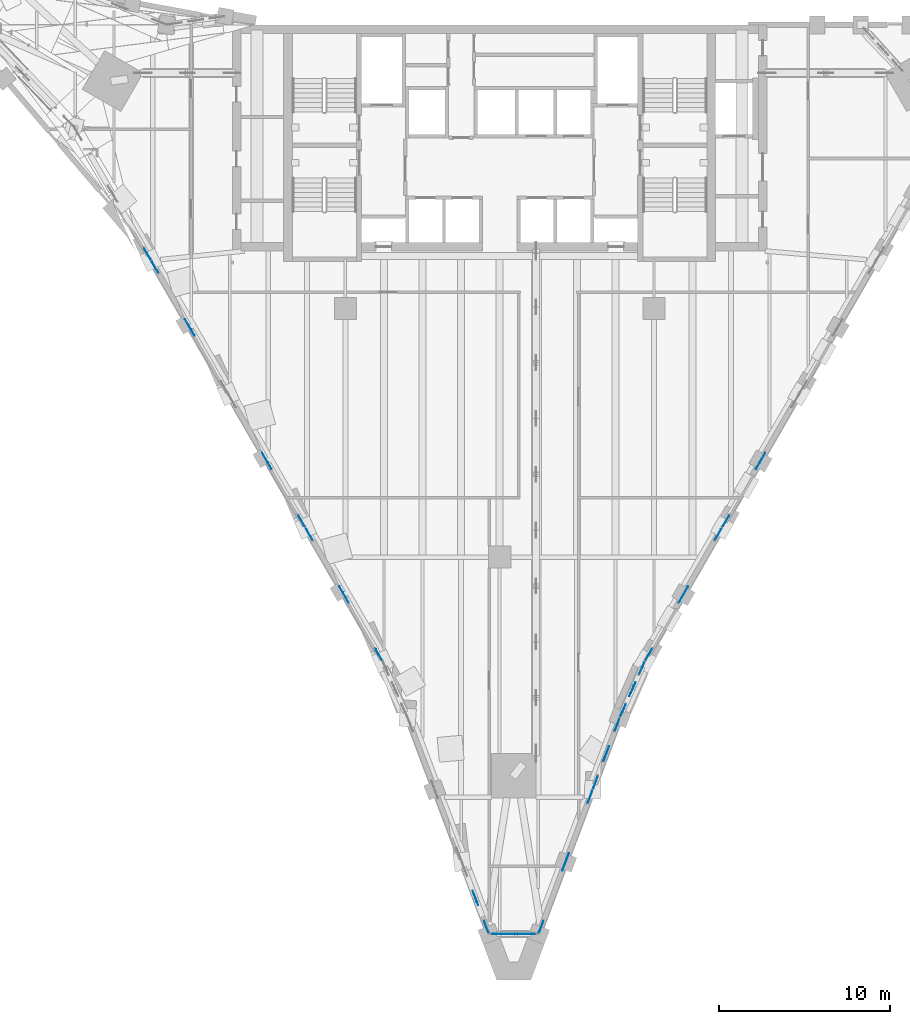
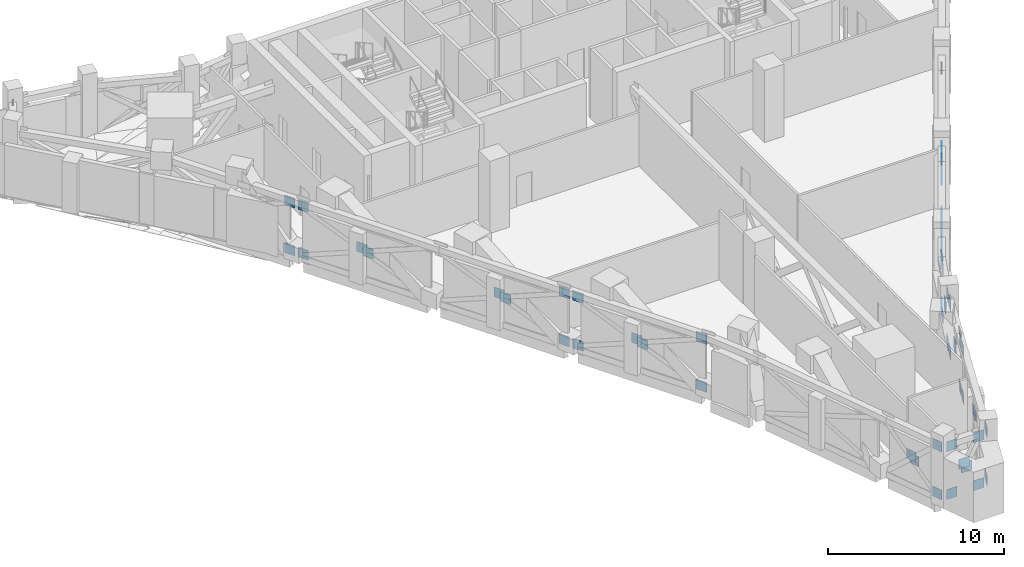
# One storey, part 17 of 22: 54 discrete accessories.
"""IFC4 building model written with IfcOpenShell, lengths in metres."""

from ifc_helpers import new_model, si_unit, direction, frame, origin, origin_2d, place, context, subcontext, project, spatial, rectangle, extrude, material, type_object, element, save


model = new_model("IFC4")

# Units and contexts
model_context = context("Model", 3, precision=1e-05, world=origin(), true_north=direction((0.0, 1.0)))
body_context = subcontext(model_context, "Body", "Model", "MODEL_VIEW")
ifc_project = project(units=[si_unit("LENGTHUNIT", "METRE"), si_unit("AREAUNIT", "SQUARE_METRE"), si_unit("VOLUMEUNIT", "CUBIC_METRE"), si_unit("PLANEANGLEUNIT", "RADIAN"), si_unit("MASSUNIT", "GRAM", prefix="KILO")], contexts=[model_context])

# Site, building, storey
site_placement = place(None, origin())
site = spatial("IfcSite", under=ifc_project, at=site_placement, CompositionType="ELEMENT")
building_placement = place(site_placement, origin())
building = spatial("IfcBuilding", under=site, at=building_placement, Name="Calabash Gate Tower", CompositionType="ELEMENT")
storey_placement = place(building_placement, frame((0.0, 0.0, 191.39990234375)))
storey = spatial("IfcBuildingStorey", under=building, at=storey_placement, Name="L45", CompositionType="ELEMENT", Elevation=191.39990234375)

# Discrete accessories
ifc_material = material(Name="Steel ASTM A572 Gr50", Category="steel")
discrete_accessory_type = type_object("IfcDiscreteAccessoryType", Name="Connection plate 25", PredefinedType="BRACKET", material=ifc_material)
for number, where, z_axis, x_axis, name in (
    (1, (-11.10302734375, -10.677734375, 0.0625), (0.0, 0.0, 1.0), (0.499999984885, -0.866025412511, 0.0), "Connection plate Belt diagonal L45 3 start"),
    (2, (-7.052978515625, -17.692626953125, 3.3798828125), (0.0, 0.0, 1.0), (0.499999984885, -0.866025412511, 0.0), "Connection plate Belt diagonal L45 3 end"),
    (3, (-11.10302734375, -10.677734375, 3.3798828125), (0.0, 0.0, 1.0), (0.499999954655, -0.866025429964, 0.0), "Connection plate Belt diagonal (split) L45 4 half 1 of 2 start"),
    (4, (-9.178466796875, -14.010986328125, 1.8037109375), (0.0, 0.0, 1.0), (0.499999954655, -0.866025429964, 0.0), "Connection plate Belt diagonal (split) L45 4 half 1 of 2 end"),
    (5, (-8.9775390625, -14.359375, 1.638671875), (0.0, 0.0, 1.0), (0.499999954655, -0.866025429964, 0.0), "Connection plate Belt diagonal (split) L45 5 half 2 of 2 start"),
    (6, (-7.052978515625, -17.692626953125, 0.0625), (0.0, 0.0, 1.0), (0.499999954655, -0.866025429964, 0.0), "Connection plate Belt diagonal (split) L45 5 half 2 of 2 end"),
    (7, (-0.7783203125, -33.57470703125, 3.3798828125), (0.0, 0.0, 1.0), (0.351822435641, -0.936066757117, 0.0), "Connection plate Belt diagonal L45 18 end"),
    (8, (-1.451171875, -31.78466796875, 1.82470703125), (0.0, 0.0, 1.0), (0.351822550003, -0.936066714134, 0.0), "Connection plate Belt diagonal (split) L45 19 half 1 of 2 end"),
    (9, (-1.3720703125, -31.9951171875, 1.61767578125), (0.0, 0.0, 1.0), (0.351822550003, -0.936066714134, 0.0), "Connection plate Belt diagonal (split) L45 20 half 2 of 2 start"),
    (10, (-0.7783203125, -33.57470703125, 0.0625), (0.0, 0.0, 1.0), (0.351822550003, -0.936066714134, 0.0), "Connection plate Belt diagonal (split) L45 20 half 2 of 2 end"),
    (11, (-0.05908203125, -33.99609375, 0.0625), (0.0, 0.0, 1.0), (1.0, 5.75959e-07, 0.0), "Connection plate Belt diagonal L45 23 start"),
    (12, (1.702880859375, -33.99609375, 3.3798828125), (0.0, 0.0, 1.0), (1.0, 5.75959e-07, 0.0), "Connection plate Belt diagonal L45 23 end"),
    (13, (-0.05908203125, -33.99609375, 3.3798828125), (0.0, 0.0, 1.0), (1.0, 0.0, 0.0), "Connection plate Belt diagonal (split) L45 24 half 1 of 2 start"),
    (14, (0.735595703125, -33.99609375, 1.8837890625), (0.0, 0.0, 1.0), (1.0, 0.0, 0.0), "Connection plate Belt diagonal (split) L45 24 half 1 of 2 end"),
    (15, (0.908203125, -33.99609375, 1.55859375), (0.0, 0.0, 1.0), (1.0, 0.0, 0.0), "Connection plate Belt diagonal (split) L45 25 half 2 of 2 start"),
    (16, (1.702880859375, -33.99609375, 0.0625), (0.0, 0.0, 1.0), (1.0, 0.0, 0.0), "Connection plate Belt diagonal (split) L45 25 half 2 of 2 end"),
    (17, (2.422119140625, -33.57470703125, 0.0625), (0.0, 0.0, 1.0), (0.351822500991, 0.936066732555, 0.0), "Connection plate Belt diagonal L45 28 start"),
    (18, (5.271728515625, -25.99267578125, 3.3798828125), (0.0, 0.0, 1.0), (0.351822500991, 0.936066732555, 0.0), "Connection plate Belt diagonal L45 28 end"),
    (19, (2.422119140625, -33.57470703125, 3.3798828125), (0.0, 0.0, 1.0), (0.351822517328, 0.936066726415, 0.0), "Connection plate Belt diagonal (split) L45 29 half 1 of 2 start"),
    (20, (3.776123046875, -29.971923828125, 1.8037109375), (0.0, 0.0, 1.0), (0.351822517328, 0.936066726415, 0.0), "Connection plate Belt diagonal (split) L45 29 half 1 of 2 end"),
    (21, (3.917724609375, -29.595458984375, 1.638671875), (0.0, 0.0, 1.0), (0.351822517328, 0.936066726415, 0.0), "Connection plate Belt diagonal (split) L45 30 half 2 of 2 start"),
    (22, (5.271728515625, -25.99267578125, 0.0625), (0.0, 0.0, 1.0), (0.351822517328, 0.936066726415, 0.0), "Connection plate Belt diagonal (split) L45 30 half 2 of 2 end"),
    (23, (5.58837890625, -25.150146484375, 0.0625), (0.0, 0.0, 1.0), (0.351822435641, 0.936066757117, 0.0), "Connection plate Belt diagonal L45 33 start"),
    (24, (6.85498046875, -21.7802734375, 3.3798828125), (0.0, 0.0, 1.0), (0.351822435641, 0.936066757117, 0.0), "Connection plate Belt diagonal L45 33 end"),
    (25, (5.58837890625, -25.150146484375, 3.3798828125), (0.0, 0.0, 1.0), (0.351822550003, 0.936066714134, 0.0), "Connection plate Belt diagonal (split) L45 34 half 1 of 2 start"),
    (26, (6.18212890625, -23.570556640625, 1.82470703125), (0.0, 0.0, 1.0), (0.351822550003, 0.936066714134, 0.0), "Connection plate Belt diagonal (split) L45 34 half 1 of 2 end"),
    (27, (6.26123046875, -23.35986328125, 1.61767578125), (0.0, 0.0, 1.0), (0.351822550003, 0.936066714134, 0.0), "Connection plate Belt diagonal (split) L45 35 half 2 of 2 start"),
    (28, (6.85498046875, -21.7802734375, 0.0625), (0.0, 0.0, 1.0), (0.351822550003, 0.936066714134, 0.0), "Connection plate Belt diagonal (split) L45 35 half 2 of 2 end"),
    (29, (7.196533203125, -20.947265625, 0.0625), (0.0, 0.0, 1.0), (0.406611890485, 0.913600990869, 0.0), "Connection plate Belt diagonal L45 38 start"),
    (30, (8.28759765625, -18.49560546875, 3.3798828125), (0.0, 0.0, 1.0), (0.406611890485, 0.913600990869, 0.0), "Connection plate Belt diagonal L45 38 end"),
    (31, (7.196533203125, -20.947265625, 3.3798828125), (0.0, 0.0, 1.0), (0.406611683196, 0.913601083126, 0.0), "Connection plate Belt diagonal (split) L45 39 half 1 of 2 start"),
    (32, (7.702392578125, -19.81103515625, 1.84228515625), (0.0, 0.0, 1.0), (0.406611683196, 0.913601083126, 0.0), "Connection plate Belt diagonal (split) L45 39 half 1 of 2 end"),
    (33, (7.781982421875, -19.6318359375, 1.60009765625), (0.0, 0.0, 1.0), (0.406612065884, 0.913600912805, 0.0), "Connection plate Belt diagonal (split) L45 40 half 2 of 2 start"),
    (34, (8.28759765625, -18.49560546875, 0.0625), (0.0, 0.0, 1.0), (0.406612065884, 0.913600912805, 0.0), "Connection plate Belt diagonal (split) L45 40 half 2 of 2 end"),
    (35, (8.69677734375, -17.692626953125, 0.0625), (0.0, 0.0, 1.0), (0.49999993954, 0.866025438691, 0.0), "Connection plate Belt diagonal L45 43 start"),
    (36, (12.74658203125, -10.677734375, 3.3798828125), (0.0, 0.0, 1.0), (0.49999993954, 0.866025438691, 0.0), "Connection plate Belt diagonal L45 43 end"),
    (37, (8.69677734375, -17.692626953125, 3.3798828125), (0.0, 0.0, 1.0), (0.49999984885, 0.866025491051, 0.0), "Connection plate Belt diagonal (split) L45 44 half 1 of 2 start"),
    (38, (10.62109375, -14.359375, 1.8037109375), (0.0, 0.0, 1.0), (0.49999984885, 0.866025491051, 0.0), "Connection plate Belt diagonal (split) L45 44 half 1 of 2 end"),
    (39, (10.822265625, -14.010986328125, 1.638671875), (0.0, 0.0, 1.0), (0.49999984885, 0.866025491051, 0.0), "Connection plate Belt diagonal (split) L45 45 half 2 of 2 start"),
    (40, (12.74658203125, -10.677734375, 0.0625), (0.0, 0.0, 1.0), (0.49999984885, 0.866025491051, 0.0), "Connection plate Belt diagonal (split) L45 45 half 2 of 2 end"),
    (41, (13.19677734375, -9.898193359375, 0.0625), (0.0, 0.0, 1.0), (0.499999984885, 0.866025412511, 0.0), "Connection plate Belt diagonal L45 48 start"),
    (42, (13.19677734375, -9.898193359375, 3.3798828125), (0.0, 0.0, 1.0), (0.499999954655, 0.866025429964, 0.0), "Connection plate Belt diagonal (split) L45 49 half 1 of 2 start"),
    (43, (15.12109375, -6.56494140625, 1.8037109375), (0.0, 0.0, 1.0), (0.499999954655, 0.866025429964, 0.0), "Connection plate Belt diagonal (split) L45 49 half 1 of 2 end"),
    (44, (15.322265625, -6.216796875, 1.638671875), (0.0, 0.0, 1.0), (0.499999954655, 0.866025429964, 0.0), "Connection plate Belt diagonal (split) L45 50 half 2 of 2 start"),
    (45, (-20.552978515625, 5.690185546875, 3.3798828125), (0.0, 0.0, 1.0), (0.49999996977, -0.866025421238, 0.0), "Connection plate Belt diagonal L45 93 end"),
    (46, (-20.552978515625, 5.690185546875, 0.0625), (0.0, 0.0, 1.0), (0.49999984885, -0.866025491051, 0.0), "Connection plate Belt diagonal (split) L45 95 half 2 of 2 end"),
    (47, (-20.10302734375, 4.91064453125, 0.0625), (0.0, 0.0, 1.0), (0.499999984885, -0.866025412511, 0.0), "Connection plate Belt diagonal L45 98 start"),
    (48, (-20.10302734375, 4.91064453125, 3.3798828125), (0.0, 0.0, 1.0), (0.499999954655, -0.866025429964, 0.0), "Connection plate Belt diagonal (split) L45 99 half 1 of 2 start"),
    (49, (-18.178466796875, 1.577392578125, 1.8037109375), (0.0, 0.0, 1.0), (0.499999954655, -0.866025429964, 0.0), "Connection plate Belt diagonal (split) L45 99 half 1 of 2 end"),
    (50, (-17.9775390625, 1.229248046875, 1.638671875), (0.0, 0.0, 1.0), (0.499999954655, -0.866025429964, 0.0), "Connection plate Belt diagonal (split) L45 100 half 2 of 2 start"),
    (51, (-11.552978515625, -9.898193359375, 3.3798828125), (0.0, 0.0, 1.0), (0.49999993954, -0.866025438691, 0.0), "Connection plate Belt diagonal L45 103 end"),
    (52, (-13.678466796875, -6.216796875, 1.8037109375), (0.0, 0.0, 1.0), (0.49999984885, -0.866025491051, 0.0), "Connection plate Belt diagonal (split) L45 104 half 1 of 2 end"),
    (53, (-13.4775390625, -6.56494140625, 1.638671875), (0.0, 0.0, 1.0), (0.49999984885, -0.866025491051, 0.0), "Connection plate Belt diagonal (split) L45 105 half 2 of 2 start"),
    (54, (-11.552978515625, -9.898193359375, 0.0625), (0.0, 0.0, 1.0), (0.49999984885, -0.866025491051, 0.0), "Connection plate Belt diagonal (split) L45 105 half 2 of 2 end"),
):
    element("IfcDiscreteAccessory", number, at=place(storey_placement, frame(where, z_axis=z_axis, x_axis=x_axis)), inside=storey, type_object=discrete_accessory_type, Name=name, PredefinedType="BRACKET", context=body_context, shape_type="SweptSolid", body=[
        extrude(rectangle(XDim=0.687744140625, YDim=0.02490234375, at=origin_2d()), origin(), (0.0, 0.0, 1.0), 0.687744140625),
    ])

save(model, "model.ifc")
